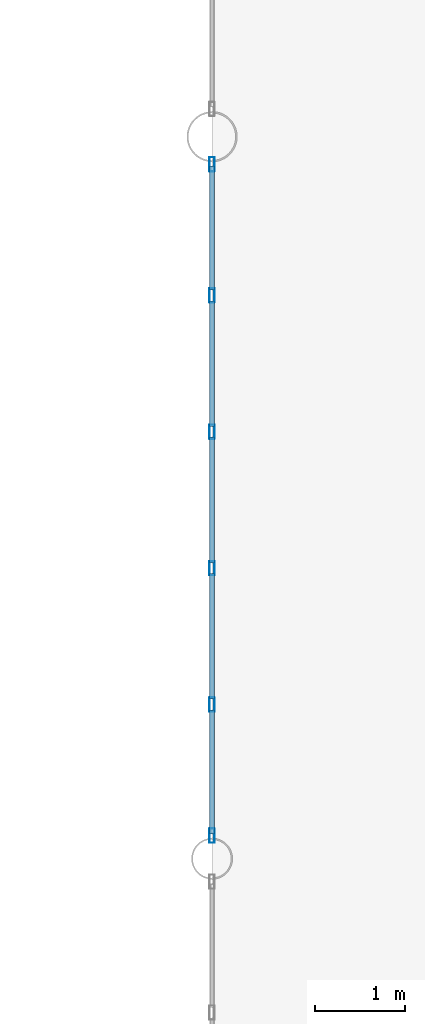
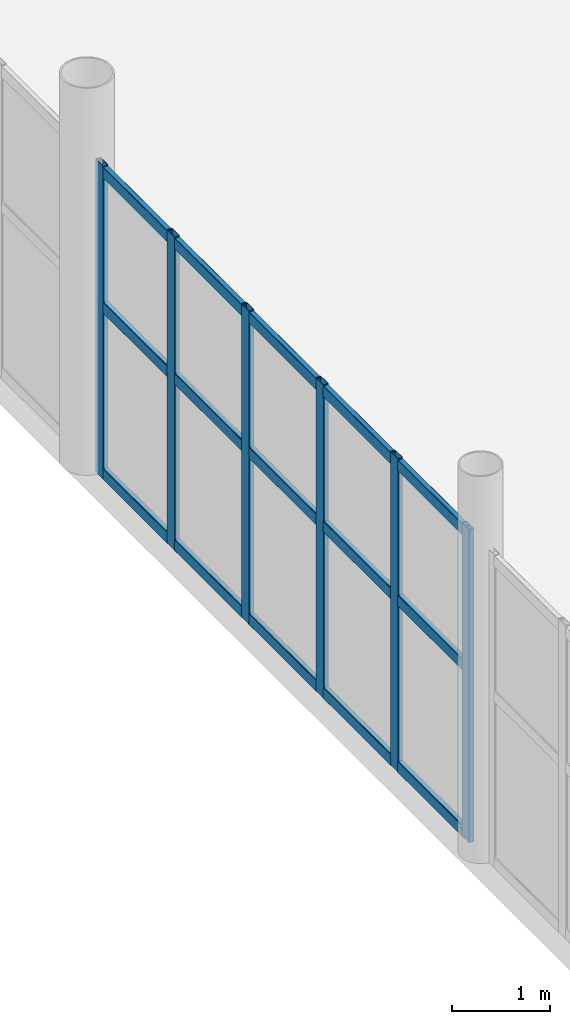
# One storey, part 69 of 178: 21 members, 1 element without a shape of its own.
"""IFC4 building model written with IfcOpenShell, lengths in metres."""

from ifc_helpers import new_model, si_unit, derived_unit, direction, frame, origin, origin_2d, place, context, subcontext, project, spatial, hollow_rectangle, extrude, material, material_profile, profile_set, type_object, element, aggregate, save


model = new_model("IFC4")

# Units and contexts
model_context = context("Model", 3, precision=1e-05, world=origin(), true_north=direction((0.0, 1.0)))
body_context = subcontext(model_context, "Body", "Model", "MODEL_VIEW")
ifc_project = project(units=[si_unit("LENGTHUNIT", "METRE"), si_unit("AREAUNIT", "SQUARE_METRE"), si_unit("VOLUMEUNIT", "CUBIC_METRE"), si_unit("PLANEANGLEUNIT", "RADIAN"), si_unit("MASSUNIT", "GRAM", prefix="KILO"), derived_unit("THERMALTRANSMITTANCEUNIT", [(si_unit("MASSUNIT", "GRAM", prefix="KILO"), 1), (si_unit("TIMEUNIT", "SECOND"), -3), (si_unit("THERMODYNAMICTEMPERATUREUNIT", "KELVIN"), -1)])], contexts=[model_context])

# Site, building, storey
site_placement = place(None, origin())
site = spatial("IfcSite", under=ifc_project, at=site_placement, CompositionType="ELEMENT")
building_placement = place(site_placement, origin())
building = spatial("IfcBuilding", under=site, at=building_placement, Name="Zhenchuan Archway Interchange", CompositionType="ELEMENT")
storey_placement = place(building_placement, frame((0.0, 0.0, 5.39990234375)))
storey = spatial("IfcBuildingStorey", under=building, at=storey_placement, Name="L01", CompositionType="ELEMENT", Elevation=5.39990234375)

# Curtain wall, members
ifc_material = material(Name="Anodised Aluminium", Category="aluminium")
curtain_wall_type = type_object("IfcCurtainWallType", Name="CW_UNIT_3", PredefinedType="NOTDEFINED", material=ifc_material)
curtain_wall_placement = place(storey_placement, origin())
curtain_wall = element("IfcCurtainWall", 1, at=curtain_wall_placement, inside=storey, type_object=curtain_wall_type, Name="Unitised curtain wall CW:L01:034", PredefinedType="NOTDEFINED")
ifc_material_profile_1 = material_profile(ifc_material, hollow_rectangle(XDim=0.06005859375, YDim=0.159912109375, WallThickness=0.00390625, InnerFilletRadius=0.00390625, OuterFilletRadius=0.008056640625, at=origin_2d()), Name="ALU 160x60x4")
ifc_profile_set_1 = profile_set([ifc_material_profile_1], Name="Anodised Aluminium")
member_type_1 = type_object("IfcMemberType", Name="CW_MUL_150", PredefinedType="MULLION", material=ifc_profile_set_1)
member_1_placement = place(storey_placement, frame((18.0, 64.255615234375, 0.0), z_axis=(0.0, 0.0, 1.0), x_axis=(1.0, 0.0, 0.0)))
member_1 = element("IfcMember", 2, at=member_1_placement, type_object=member_type_1, Name="CW:L01:034 mullion 0", PredefinedType="MULLION", context=body_context, shape_type="SweptSolid", body=[
    extrude(hollow_rectangle(XDim=0.06005859375, YDim=0.159912109375, WallThickness=0.00390625, InnerFilletRadius=0.00390625, OuterFilletRadius=0.008056640625, at=origin_2d()), origin(), (0.0, 0.0, 1.0), 3.880126953125),
])
member_2_placement = place(storey_placement, frame((18.0, 65.70703125, 0.0), z_axis=(0.0, 0.0, 1.0), x_axis=(1.0, 0.0, 0.0)))
member_2 = element("IfcMember", 3, at=member_2_placement, type_object=member_type_1, Name="CW:L01:034 mullion 1", PredefinedType="MULLION", context=body_context, shape_type="SweptSolid", body=[
    extrude(hollow_rectangle(XDim=0.06005859375, YDim=0.159912109375, WallThickness=0.00390625, InnerFilletRadius=0.00390625, OuterFilletRadius=0.008056640625, at=origin_2d()), origin(), (0.0, 0.0, 1.0), 3.880126953125),
])
member_3_placement = place(storey_placement, frame((18.0, 67.21875, 0.0), z_axis=(0.0, 0.0, 1.0), x_axis=(1.0, 0.0, 0.0)))
member_3 = element("IfcMember", 4, at=member_3_placement, type_object=member_type_1, Name="CW:L01:034 mullion 2", PredefinedType="MULLION", context=body_context, shape_type="SweptSolid", body=[
    extrude(hollow_rectangle(XDim=0.06005859375, YDim=0.159912109375, WallThickness=0.00390625, InnerFilletRadius=0.00390625, OuterFilletRadius=0.008056640625, at=origin_2d()), origin(), (0.0, 0.0, 1.0), 3.880126953125),
])
member_4_placement = place(storey_placement, frame((18.0, 68.730224609375, 0.0), z_axis=(0.0, 0.0, 1.0), x_axis=(1.0, 0.0, 0.0)))
member_4 = element("IfcMember", 5, at=member_4_placement, type_object=member_type_1, Name="CW:L01:034 mullion 3", PredefinedType="MULLION", context=body_context, shape_type="SweptSolid", body=[
    extrude(hollow_rectangle(XDim=0.06005859375, YDim=0.159912109375, WallThickness=0.00390625, InnerFilletRadius=0.00390625, OuterFilletRadius=0.008056640625, at=origin_2d()), origin(), (0.0, 0.0, 1.0), 3.880126953125),
])
member_5_placement = place(storey_placement, frame((18.0, 70.241943359375, 0.0), z_axis=(0.0, 0.0, 1.0), x_axis=(1.0, 0.0, 0.0)))
member_5 = element("IfcMember", 6, at=member_5_placement, type_object=member_type_1, Name="CW:L01:034 mullion 4", PredefinedType="MULLION", context=body_context, shape_type="SweptSolid", body=[
    extrude(hollow_rectangle(XDim=0.06005859375, YDim=0.159912109375, WallThickness=0.00390625, InnerFilletRadius=0.00390625, OuterFilletRadius=0.008056640625, at=origin_2d()), origin(), (0.0, 0.0, 1.0), 3.880126953125),
])
member_6_placement = place(storey_placement, frame((18.0, 71.693603515625, 0.0), z_axis=(0.0, 0.0, 1.0), x_axis=(1.0, 0.0, 0.0)))
member_6 = element("IfcMember", 7, at=member_6_placement, type_object=member_type_1, Name="CW:L01:034 mullion 5", PredefinedType="MULLION", context=body_context, shape_type="SweptSolid", body=[
    extrude(hollow_rectangle(XDim=0.06005859375, YDim=0.159912109375, WallThickness=0.00390625, InnerFilletRadius=0.00390625, OuterFilletRadius=0.008056640625, at=origin_2d()), origin(), (0.0, 0.0, 1.0), 3.880126953125),
])
ifc_material_profile_2 = material_profile(ifc_material, hollow_rectangle(XDim=0.06005859375, YDim=0.139892578125, WallThickness=0.00341796875, InnerFilletRadius=0.00341796875, OuterFilletRadius=0.007080078125, at=origin_2d()), Name="ALU 140x60x3.5")
ifc_profile_set_2 = profile_set([ifc_material_profile_2], Name="Anodised Aluminium")
member_type_2 = type_object("IfcMemberType", Name="CW_TRN_140", PredefinedType="USERDEFINED", material=ifc_profile_set_2)
member_7_placement = place(storey_placement, frame((18.0, 64.275390625, 0.06005859375), z_axis=(0.0, 1.0, 0.0), x_axis=(-1.0, 0.0, 0.0)))
member_7 = element("IfcMember", 8, at=member_7_placement, type_object=member_type_2, Name="CW:L01:034 transom 0-1", ObjectType="TRANSOM", PredefinedType="USERDEFINED", context=body_context, shape_type="SweptSolid", body=[
    extrude(hollow_rectangle(XDim=0.06005859375, YDim=0.139892578125, WallThickness=0.00341796875, InnerFilletRadius=0.00341796875, OuterFilletRadius=0.007080078125, at=origin_2d()), origin(), (0.0, 0.0, 1.0), 1.371826171875),
])
member_8_placement = place(storey_placement, frame((18.0, 64.275390625, 2.123046875), z_axis=(0.0, 1.0, 0.0), x_axis=(-1.0, 0.0, 0.0)))
member_8 = element("IfcMember", 9, at=member_8_placement, type_object=member_type_2, Name="CW:L01:034 transom 0-2", ObjectType="TRANSOM", PredefinedType="USERDEFINED", context=body_context, shape_type="SweptSolid", body=[
    extrude(hollow_rectangle(XDim=0.06005859375, YDim=0.139892578125, WallThickness=0.00341796875, InnerFilletRadius=0.00341796875, OuterFilletRadius=0.007080078125, at=origin_2d()), origin(), (0.0, 0.0, 1.0), 1.371826171875),
])
member_9_placement = place(storey_placement, frame((18.0, 64.275390625, 3.800048828125), z_axis=(0.0, 1.0, 0.0), x_axis=(-1.0, 0.0, 0.0)))
member_9 = element("IfcMember", 10, at=member_9_placement, type_object=member_type_2, Name="CW:L01:034 transom 0-3", ObjectType="TRANSOM", PredefinedType="USERDEFINED", context=body_context, shape_type="SweptSolid", body=[
    extrude(hollow_rectangle(XDim=0.06005859375, YDim=0.139892578125, WallThickness=0.00341796875, InnerFilletRadius=0.00341796875, OuterFilletRadius=0.007080078125, at=origin_2d()), origin(), (0.0, 0.0, 1.0), 1.371826171875),
])
member_10_placement = place(storey_placement, frame((18.0, 65.76708984375, 0.06005859375), z_axis=(0.0, 1.0, 0.0), x_axis=(-1.0, 0.0, 0.0)))
member_10 = element("IfcMember", 11, at=member_10_placement, type_object=member_type_2, Name="CW:L01:034 transom 1-1", ObjectType="TRANSOM", PredefinedType="USERDEFINED", context=body_context, shape_type="SweptSolid", body=[
    extrude(hollow_rectangle(XDim=0.06005859375, YDim=0.139892578125, WallThickness=0.00341796875, InnerFilletRadius=0.00341796875, OuterFilletRadius=0.007080078125, at=origin_2d()), origin(), (0.0, 0.0, 1.0), 1.3916015625),
])
member_11_placement = place(storey_placement, frame((18.0, 65.76708984375, 2.123046875), z_axis=(0.0, 1.0, 0.0), x_axis=(-1.0, 0.0, 0.0)))
member_11 = element("IfcMember", 12, at=member_11_placement, type_object=member_type_2, Name="CW:L01:034 transom 1-2", ObjectType="TRANSOM", PredefinedType="USERDEFINED", context=body_context, shape_type="SweptSolid", body=[
    extrude(hollow_rectangle(XDim=0.06005859375, YDim=0.139892578125, WallThickness=0.00341796875, InnerFilletRadius=0.00341796875, OuterFilletRadius=0.007080078125, at=origin_2d()), origin(), (0.0, 0.0, 1.0), 1.3916015625),
])
member_12_placement = place(storey_placement, frame((18.0, 65.76708984375, 3.800048828125), z_axis=(0.0, 1.0, 0.0), x_axis=(-1.0, 0.0, 0.0)))
member_12 = element("IfcMember", 13, at=member_12_placement, type_object=member_type_2, Name="CW:L01:034 transom 1-3", ObjectType="TRANSOM", PredefinedType="USERDEFINED", context=body_context, shape_type="SweptSolid", body=[
    extrude(hollow_rectangle(XDim=0.06005859375, YDim=0.139892578125, WallThickness=0.00341796875, InnerFilletRadius=0.00341796875, OuterFilletRadius=0.007080078125, at=origin_2d()), origin(), (0.0, 0.0, 1.0), 1.3916015625),
])
member_13_placement = place(storey_placement, frame((18.0, 67.27880859375, 0.06005859375), z_axis=(0.0, 1.0, 0.0), x_axis=(-1.0, 0.0, 0.0)))
member_13 = element("IfcMember", 14, at=member_13_placement, type_object=member_type_2, Name="CW:L01:034 transom 2-1", ObjectType="TRANSOM", PredefinedType="USERDEFINED", context=body_context, shape_type="SweptSolid", body=[
    extrude(hollow_rectangle(XDim=0.06005859375, YDim=0.139892578125, WallThickness=0.00341796875, InnerFilletRadius=0.00341796875, OuterFilletRadius=0.007080078125, at=origin_2d()), origin(), (0.0, 0.0, 1.0), 1.3916015625),
])
member_14_placement = place(storey_placement, frame((18.0, 67.27880859375, 2.123046875), z_axis=(0.0, 1.0, 0.0), x_axis=(-1.0, 0.0, 0.0)))
member_14 = element("IfcMember", 15, at=member_14_placement, type_object=member_type_2, Name="CW:L01:034 transom 2-2", ObjectType="TRANSOM", PredefinedType="USERDEFINED", context=body_context, shape_type="SweptSolid", body=[
    extrude(hollow_rectangle(XDim=0.06005859375, YDim=0.139892578125, WallThickness=0.00341796875, InnerFilletRadius=0.00341796875, OuterFilletRadius=0.007080078125, at=origin_2d()), origin(), (0.0, 0.0, 1.0), 1.3916015625),
])
member_15_placement = place(storey_placement, frame((18.0, 67.27880859375, 3.800048828125), z_axis=(0.0, 1.0, 0.0), x_axis=(-1.0, 0.0, 0.0)))
member_15 = element("IfcMember", 16, at=member_15_placement, type_object=member_type_2, Name="CW:L01:034 transom 2-3", ObjectType="TRANSOM", PredefinedType="USERDEFINED", context=body_context, shape_type="SweptSolid", body=[
    extrude(hollow_rectangle(XDim=0.06005859375, YDim=0.139892578125, WallThickness=0.00341796875, InnerFilletRadius=0.00341796875, OuterFilletRadius=0.007080078125, at=origin_2d()), origin(), (0.0, 0.0, 1.0), 1.3916015625),
])
member_16_placement = place(storey_placement, frame((18.0, 68.790283203125, 0.06005859375), z_axis=(0.0, 1.0, 0.0), x_axis=(-1.0, 0.0, 0.0)))
member_16 = element("IfcMember", 17, at=member_16_placement, type_object=member_type_2, Name="CW:L01:034 transom 3-1", ObjectType="TRANSOM", PredefinedType="USERDEFINED", context=body_context, shape_type="SweptSolid", body=[
    extrude(hollow_rectangle(XDim=0.06005859375, YDim=0.139892578125, WallThickness=0.00341796875, InnerFilletRadius=0.00341796875, OuterFilletRadius=0.007080078125, at=origin_2d()), origin(), (0.0, 0.0, 1.0), 1.3916015625),
])
member_17_placement = place(storey_placement, frame((18.0, 68.790283203125, 2.123046875), z_axis=(0.0, 1.0, 0.0), x_axis=(-1.0, 0.0, 0.0)))
member_17 = element("IfcMember", 18, at=member_17_placement, type_object=member_type_2, Name="CW:L01:034 transom 3-2", ObjectType="TRANSOM", PredefinedType="USERDEFINED", context=body_context, shape_type="SweptSolid", body=[
    extrude(hollow_rectangle(XDim=0.06005859375, YDim=0.139892578125, WallThickness=0.00341796875, InnerFilletRadius=0.00341796875, OuterFilletRadius=0.007080078125, at=origin_2d()), origin(), (0.0, 0.0, 1.0), 1.3916015625),
])
member_18_placement = place(storey_placement, frame((18.0, 68.790283203125, 3.800048828125), z_axis=(0.0, 1.0, 0.0), x_axis=(-1.0, 0.0, 0.0)))
member_18 = element("IfcMember", 19, at=member_18_placement, type_object=member_type_2, Name="CW:L01:034 transom 3-3", ObjectType="TRANSOM", PredefinedType="USERDEFINED", context=body_context, shape_type="SweptSolid", body=[
    extrude(hollow_rectangle(XDim=0.06005859375, YDim=0.139892578125, WallThickness=0.00341796875, InnerFilletRadius=0.00341796875, OuterFilletRadius=0.007080078125, at=origin_2d()), origin(), (0.0, 0.0, 1.0), 1.3916015625),
])
member_19_placement = place(storey_placement, frame((18.0, 70.302001953125, 0.06005859375), z_axis=(0.0, 1.0, 0.0), x_axis=(-1.0, 0.0, 0.0)))
member_19 = element("IfcMember", 20, at=member_19_placement, type_object=member_type_2, Name="CW:L01:034 transom 4-1", ObjectType="TRANSOM", PredefinedType="USERDEFINED", context=body_context, shape_type="SweptSolid", body=[
    extrude(hollow_rectangle(XDim=0.06005859375, YDim=0.139892578125, WallThickness=0.00341796875, InnerFilletRadius=0.00341796875, OuterFilletRadius=0.007080078125, at=origin_2d()), origin(), (0.0, 0.0, 1.0), 1.37158203125),
])
member_20_placement = place(storey_placement, frame((18.0, 70.302001953125, 2.123046875), z_axis=(0.0, 1.0, 0.0), x_axis=(-1.0, 0.0, 0.0)))
member_20 = element("IfcMember", 21, at=member_20_placement, type_object=member_type_2, Name="CW:L01:034 transom 4-2", ObjectType="TRANSOM", PredefinedType="USERDEFINED", context=body_context, shape_type="SweptSolid", body=[
    extrude(hollow_rectangle(XDim=0.06005859375, YDim=0.139892578125, WallThickness=0.00341796875, InnerFilletRadius=0.00341796875, OuterFilletRadius=0.007080078125, at=origin_2d()), origin(), (0.0, 0.0, 1.0), 1.37158203125),
])
member_21_placement = place(storey_placement, frame((18.0, 70.302001953125, 3.800048828125), z_axis=(0.0, 1.0, 0.0), x_axis=(-1.0, 0.0, 0.0)))
member_21 = element("IfcMember", 22, at=member_21_placement, type_object=member_type_2, Name="CW:L01:034 transom 4-3", ObjectType="TRANSOM", PredefinedType="USERDEFINED", context=body_context, shape_type="SweptSolid", body=[
    extrude(hollow_rectangle(XDim=0.06005859375, YDim=0.139892578125, WallThickness=0.00341796875, InnerFilletRadius=0.00341796875, OuterFilletRadius=0.007080078125, at=origin_2d()), origin(), (0.0, 0.0, 1.0), 1.37158203125),
])
aggregate(curtain_wall, [member_1, member_2, member_3, member_4, member_5, member_6, member_7, member_8, member_9, member_10, member_11, member_12, member_13, member_14, member_15, member_16, member_17, member_18, member_19, member_20, member_21])

save(model, "model.ifc")
